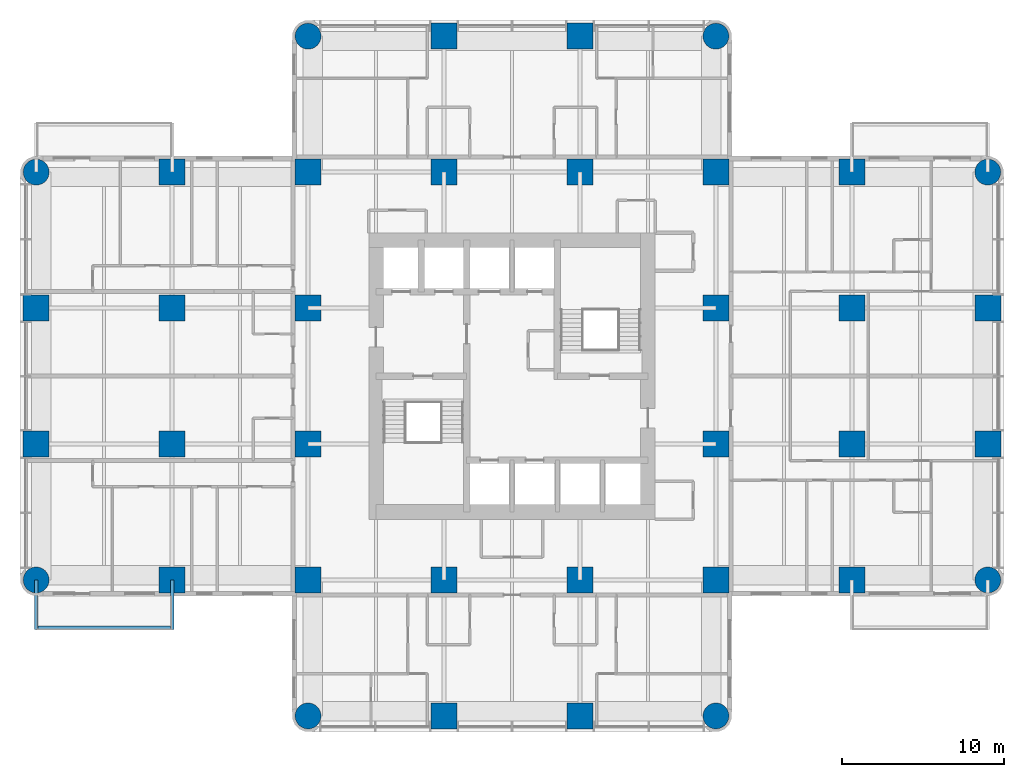
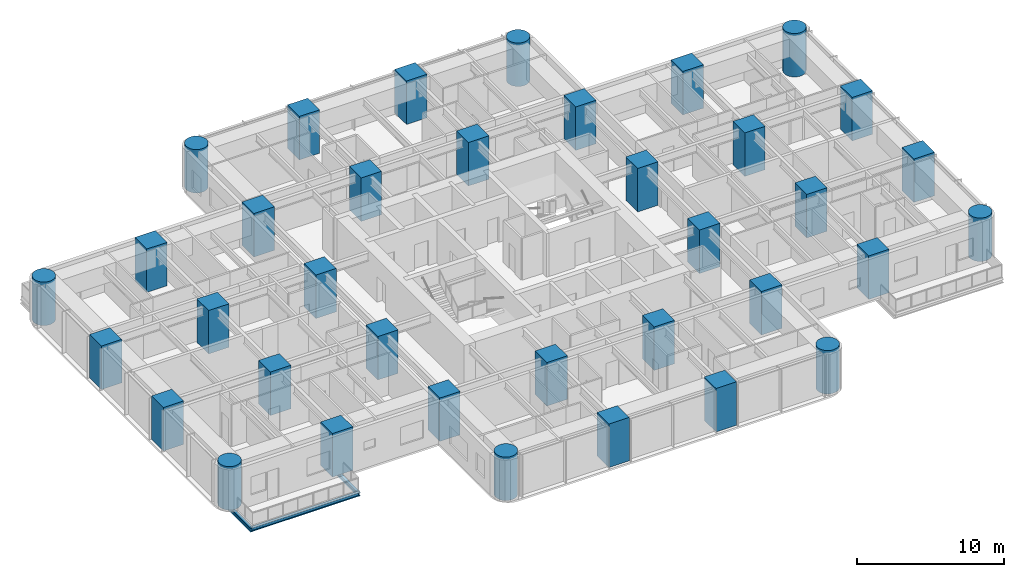
# One storey, part 1 of 14: 36 columns, 3 beams.
"""IFC4 building model written with IfcOpenShell, lengths in metres."""

from ifc_helpers import new_model, si_unit, direction, frame, origin, origin_2d, place, context, subcontext, project, spatial, rectangle, circle, i_section, extrude, material, material_profile, profile_set, type_object, element, save


model = new_model("IFC4")

# Units and contexts
model_context = context("Model", 3, precision=1e-05, world=origin(), true_north=direction((0.0, 1.0)))
body_context = subcontext(model_context, "Body", "Model", "MODEL_VIEW")
ifc_project = project(units=[si_unit("LENGTHUNIT", "METRE"), si_unit("AREAUNIT", "SQUARE_METRE"), si_unit("VOLUMEUNIT", "CUBIC_METRE"), si_unit("PLANEANGLEUNIT", "RADIAN"), si_unit("MASSUNIT", "GRAM", prefix="KILO")], contexts=[model_context])

# Site, building, storey
site_placement = place(None, origin())
site = spatial("IfcSite", under=ifc_project, at=site_placement, CompositionType="ELEMENT")
building_placement = place(site_placement, origin())
building = spatial("IfcBuilding", under=site, at=building_placement, Name="Torre Alcanfor", CompositionType="ELEMENT")
storey_placement = place(building_placement, frame((0.0, 0.0, 141.300048828125)))
storey = spatial("IfcBuildingStorey", under=building, at=storey_placement, Name="L36", CompositionType="ELEMENT", Elevation=141.300048828125)

# Columns
ifc_material_1 = material(Name="Concrete f'c 70 MPa", Category="concrete")
ifc_material_profile_1 = material_profile(ifc_material_1, rectangle(XDim=1.60009765625, YDim=1.60009765625, at=origin_2d()), Name="1600x1600")
ifc_profile_set_1 = profile_set([ifc_material_profile_1], Name="Concrete f'c 70 MPa")
column_type_1 = type_object("IfcColumnType", Name="RC column 1600x1600 f'c70", PredefinedType="COLUMN", material=ifc_profile_set_1)
for number, where, z_axis, x_axis, name in (
    (1, (0.0, 25.199951171875, 0.0), (0.0, 0.0, 1.0), (1.0, 0.0, 0.0), "Column 1/F L36"),
    (2, (0.0, 33.60009765625, 0.0), (0.0, 0.0, 1.0), (1.0, 0.0, 0.0), "Column 1/G L36"),
    (3, (8.39990234375, 16.800048828125, 0.0), (0.0, 0.0, 1.0), (1.0, 0.0, 0.0), "Column 2/E L36"),
    (4, (8.39990234375, 25.199951171875, 0.0), (0.0, 0.0, 1.0), (1.0, 0.0, 0.0), "Column 2/F L36"),
    (5, (8.39990234375, 33.60009765625, 0.0), (0.0, 0.0, 1.0), (1.0, 0.0, 0.0), "Column 2/G L36"),
    (6, (8.39990234375, 42.0, 0.0), (0.0, 0.0, 1.0), (1.0, 0.0, 0.0), "Column 2/H L36"),
    (7, (16.800048828125, 16.800048828125, 0.0), (0.0, 0.0, 1.0), (1.0, 0.0, 0.0), "Column 3/E L36"),
    (8, (16.800048828125, 25.199951171875, 0.0), (0.0, 0.0, 1.0), (1.0, 0.0, 0.0), "Column 3/F L36"),
    (9, (16.800048828125, 33.60009765625, 0.0), (0.0, 0.0, 1.0), (1.0, 0.0, 0.0), "Column 3/G L36"),
    (10, (16.800048828125, 42.0, 0.0), (0.0, 0.0, 1.0), (1.0, 0.0, 0.0), "Column 3/H L36"),
    (11, (25.199951171875, 8.39990234375, 0.0), (0.0, 0.0, 1.0), (1.0, 0.0, 0.0), "Column 4/D L36"),
    (12, (25.199951171875, 16.800048828125, 0.0), (0.0, 0.0, 1.0), (1.0, 0.0, 0.0), "Column 4/E L36"),
    (13, (25.199951171875, 42.0, 0.0), (0.0, 0.0, 1.0), (1.0, 0.0, 0.0), "Column 4/H L36"),
    (14, (25.199951171875, 50.39990234375, 0.0), (0.0, 0.0, 1.0), (1.0, 0.0, 0.0), "Column 4/J L36"),
    (15, (33.60009765625, 8.39990234375, 0.0), (0.0, 0.0, 1.0), (1.0, 0.0, 0.0), "Column 5/D L36"),
    (16, (33.60009765625, 16.800048828125, 0.0), (0.0, 0.0, 1.0), (1.0, 0.0, 0.0), "Column 5/E L36"),
    (17, (33.60009765625, 42.0, 0.0), (0.0, 0.0, 1.0), (1.0, 0.0, 0.0), "Column 5/H L36"),
    (18, (33.60009765625, 50.39990234375, 0.0), (0.0, 0.0, 1.0), (1.0, 0.0, 0.0), "Column 5/J L36"),
    (19, (42.0, 16.800048828125, 0.0), (0.0, 0.0, 1.0), (1.0, 0.0, 0.0), "Column 6/E L36"),
    (20, (42.0, 25.199951171875, 0.0), (0.0, 0.0, 1.0), (1.0, 0.0, 0.0), "Column 6/F L36"),
    (21, (42.0, 33.60009765625, 0.0), (0.0, 0.0, 1.0), (1.0, 0.0, 0.0), "Column 6/G L36"),
    (22, (42.0, 42.0, 0.0), (0.0, 0.0, 1.0), (1.0, 0.0, 0.0), "Column 6/H L36"),
    (23, (50.39990234375, 16.800048828125, 0.0), (0.0, 0.0, 1.0), (1.0, 0.0, 0.0), "Column 7/E L36"),
    (24, (50.39990234375, 25.199951171875, 0.0), (0.0, 0.0, 1.0), (1.0, 0.0, 0.0), "Column 7/F L36"),
    (25, (50.39990234375, 33.60009765625, 0.0), (0.0, 0.0, 1.0), (1.0, 0.0, 0.0), "Column 7/G L36"),
    (26, (50.39990234375, 42.0, 0.0), (0.0, 0.0, 1.0), (1.0, 0.0, 0.0), "Column 7/H L36"),
    (27, (58.800048828125, 25.199951171875, 0.0), (0.0, 0.0, 1.0), (1.0, 0.0, 0.0), "Column 8/F L36"),
    (28, (58.800048828125, 33.60009765625, 0.0), (0.0, 0.0, 1.0), (1.0, 0.0, 0.0), "Column 8/G L36"),
):
    element("IfcColumn", number, at=place(storey_placement, frame(where, z_axis=z_axis, x_axis=x_axis)), inside=storey, type_object=column_type_1, Name=name, PredefinedType="COLUMN", context=body_context, shape_type="SweptSolid", body=[
        extrude(rectangle(XDim=1.60009765625, YDim=1.60009765625, at=origin_2d()), origin(), (0.0, 0.0, 1.0), 3.599853515625),
    ])
ifc_material_2 = material(Name="Concrete f'c 70 MPa", Category="concrete")
ifc_material_profile_2 = material_profile(ifc_material_2, circle(Radius=0.800048828125, at=origin_2d()), Name="D1600")
ifc_profile_set_2 = profile_set([ifc_material_profile_2], Name="Concrete f'c 70 MPa")
column_type_2 = type_object("IfcColumnType", Name="RC column D1600 f'c70", PredefinedType="COLUMN", material=ifc_profile_set_2)
for number, where, z_axis, x_axis, name in (
    (29, (0.0, 16.800048828125, 0.0), (0.0, 0.0, 1.0), (1.0, 0.0, 0.0), "Column 1/E L36"),
    (30, (0.0, 42.0, 0.0), (0.0, 0.0, 1.0), (1.0, 0.0, 0.0), "Column 1/H L36"),
    (31, (16.800048828125, 8.39990234375, 0.0), (0.0, 0.0, 1.0), (1.0, 0.0, 0.0), "Column 3/D L36"),
    (32, (16.800048828125, 50.39990234375, 0.0), (0.0, 0.0, 1.0), (1.0, 0.0, 0.0), "Column 3/J L36"),
    (33, (42.0, 8.39990234375, 0.0), (0.0, 0.0, 1.0), (1.0, 0.0, 0.0), "Column 6/D L36"),
    (34, (42.0, 50.39990234375, 0.0), (0.0, 0.0, 1.0), (1.0, 0.0, 0.0), "Column 6/J L36"),
    (35, (58.800048828125, 16.800048828125, 0.0), (0.0, 0.0, 1.0), (1.0, 0.0, 0.0), "Column 8/E L36"),
    (36, (58.800048828125, 42.0, 0.0), (0.0, 0.0, 1.0), (1.0, 0.0, 0.0), "Column 8/H L36"),
):
    element("IfcColumn", number, at=place(storey_placement, frame(where, z_axis=z_axis, x_axis=x_axis)), inside=storey, type_object=column_type_2, Name=name, PredefinedType="COLUMN", context=body_context, shape_type="SweptSolid", body=[
        extrude(circle(Radius=0.800048828125, at=origin_2d()), origin(), (0.0, 0.0, 1.0), 3.599853515625),
    ])

# Beams
ifc_material_3 = material(Name="Steel ASTM A992 Grade 50", Category="steel")
ifc_material_profile_3 = material_profile(ifc_material_3, i_section(OverallWidth=0.205322265625, OverallDepth=0.309814453125, WebThickness=0.00927734375, FlangeThickness=0.016357421875, at=origin_2d()), Name="W12x50")
ifc_profile_set_3 = profile_set([ifc_material_profile_3], Name="Steel ASTM A992 Grade 50")
beam_type_1 = type_object("IfcBeamType", Name="Balcony cantilever beam W12x50", PredefinedType="BEAM", material=ifc_profile_set_3)
for number, where, z_axis, x_axis, name in (
    (37, (8.39990234375, 16.800048828125, -0.35498046875), (0.0, -1.0, 0.0), (1.0, 0.0, 0.0), "Balcony cantilever beam L36-W1 1"),
    (38, (0.0, 16.800048828125, -0.35498046875), (0.0, -1.0, 0.0), (1.0, 0.0, 0.0), "Balcony cantilever beam L36-W1 2"),
):
    element("IfcBeam", number, at=place(storey_placement, frame(where, z_axis=z_axis, x_axis=x_axis)), inside=storey, type_object=beam_type_1, Name=name, PredefinedType="BEAM", context=body_context, shape_type="SweptSolid", body=[
        extrude(i_section(OverallWidth=0.205322265625, OverallDepth=0.309814453125, WebThickness=0.00927734375, FlangeThickness=0.016357421875, at=origin_2d()), origin(), (0.0, 0.0, 1.0), 3.050048828125),
    ])
ifc_material_4 = material(Name="Steel ASTM A992 Grade 50", Category="steel")
ifc_material_profile_4 = material_profile(ifc_material_4, i_section(OverallWidth=0.203369140625, OverallDepth=0.30224609375, WebThickness=0.007568359375, FlangeThickness=0.01318359375, at=origin_2d()), Name="W12x40")
ifc_profile_set_4 = profile_set([ifc_material_profile_4], Name="Steel ASTM A992 Grade 50")
beam_type_2 = type_object("IfcBeamType", Name="Balcony edge trimmer W12x40", PredefinedType="BEAM", material=ifc_profile_set_4)
beam_placement = place(storey_placement, frame((8.39990234375, 13.851806640625, -0.35107421875), z_axis=(-1.0, 0.0, 0.0), x_axis=(0.0, -1.0, 0.0)))
element("IfcBeam", 39, at=beam_placement, inside=storey, type_object=beam_type_2, Name="Balcony edge trimmer L36-W1", PredefinedType="BEAM", context=body_context, shape_type="SweptSolid", body=[
    extrude(i_section(OverallWidth=0.203369140625, OverallDepth=0.30224609375, WebThickness=0.007568359375, FlangeThickness=0.01318359375, at=origin_2d()), origin(), (0.0, 0.0, 1.0), 8.39990234375),
])

save(model, "model.ifc")
